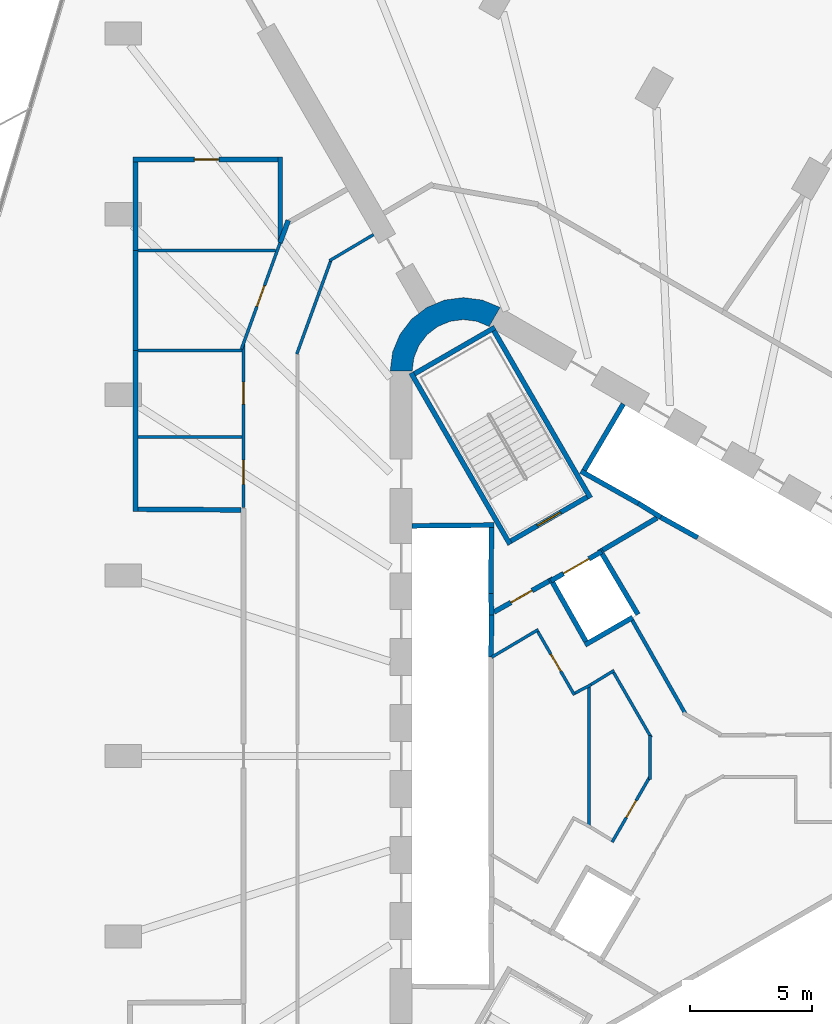
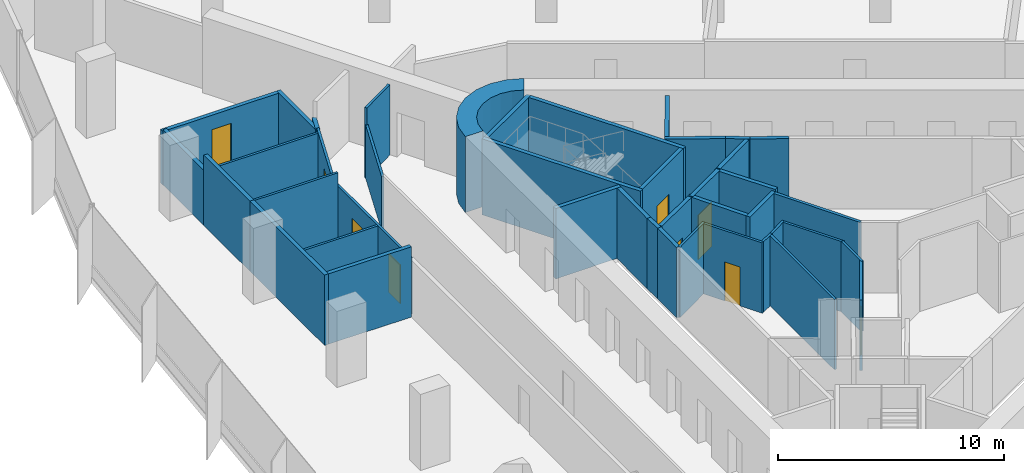
# One storey, part 11 of 15: 42 walls, 9 doors, 9 openings.
"""IFC4 building model written with IfcOpenShell, lengths in metres."""

from ifc_helpers import new_model, si_unit, direction, frame, frame_2d, origin, place, context, subcontext, project, spatial, polyline, rectangle, outline, extrude, material, layer, layer_set, type_object, element, fill, save


model = new_model("IFC4")

# Units and contexts
model_context = context("Model", 3, precision=1e-05, world=origin(), true_north=direction((0.0, 1.0)))
body_context = subcontext(model_context, "Body", "Model", "MODEL_VIEW")
ifc_project = project(units=[si_unit("LENGTHUNIT", "METRE"), si_unit("AREAUNIT", "SQUARE_METRE"), si_unit("VOLUMEUNIT", "CUBIC_METRE"), si_unit("PLANEANGLEUNIT", "RADIAN"), si_unit("MASSUNIT", "GRAM", prefix="KILO")], contexts=[model_context])

# Site, building, storey
site_placement = place(None, origin())
site = spatial("IfcSite", under=ifc_project, at=site_placement, CompositionType="ELEMENT")
building_placement = place(site_placement, origin())
building = spatial("IfcBuilding", under=site, at=building_placement, Name="Tanit Gate Tower", CompositionType="ELEMENT")
storey_placement = place(building_placement, frame((0.0, 0.0, 94.699951171875)))
storey = spatial("IfcBuildingStorey", under=building, at=storey_placement, Name="L19", CompositionType="ELEMENT", Elevation=94.699951171875)

# Walls
ifc_material_1 = material(Name="Concrete C60/75", Category="concrete")
ifc_layer_1 = layer(ifc_material_1, 0.89990234375)
ifc_layer_set_1 = layer_set([ifc_layer_1], Name="CORE WALL 900 C60/75")
wall_type_1 = type_object("IfcWallType", Name="CORE WALL 900 C60/75", PredefinedType="SHEAR", material=ifc_layer_set_1)
wall_1_placement = place(storey_placement, origin())
element("IfcWall", 1, at=wall_1_placement, inside=storey, type_object=wall_type_1, Name="CORE WALL CORNER", PredefinedType="SHEAR", context=body_context, shape_type="SweptSolid", body=[
    extrude(outline(polyline([(-7.60009765625, 18.359619140625), (-8.323486328125, 18.659423828125), (-9.10009765625, 18.76171875), (-9.87646484375, 18.659423828125), (-10.60009765625, 18.359619140625), (-11.22119140625, 17.883056640625), (-11.697998046875, 17.26171875), (-11.997802734375, 16.5380859375), (-12.10009765625, 15.76171875), (-11.199951171875, 15.76171875), (-11.12841796875, 16.30517578125), (-10.918701171875, 16.811767578125), (-10.5849609375, 17.24658203125), (-10.14990234375, 17.580322265625), (-9.6435546875, 17.7900390625), (-9.10009765625, 17.86181640625), (-8.556396484375, 17.7900390625), (-8.050048828125, 17.580322265625), (-7.60009765625, 18.359619140625)])), origin(), (0.0, 0.0, 1.0), 4.10009765625),
])
ifc_material_2 = material(Name="Fire-rated gypsum board partition")
ifc_layer_2 = layer(ifc_material_2, 0.199951171875)
ifc_layer_set_2 = layer_set([ifc_layer_2], Name="INT-WALL-COMPARTMENT")
wall_type_2 = type_object("IfcWallType", Name="INT-WALL-COMPARTMENT", PredefinedType="PARTITIONING", material=ifc_layer_set_2)
wall_2_placement = place(storey_placement, frame((-1.1796875, 9.744384765625, 0.0), z_axis=(0.0, 0.0, 1.0), x_axis=(-0.860615607571, -0.509255118781, 0.0)))
element("IfcWall", 2, at=wall_2_placement, inside=storey, type_object=wall_type_2, Name="Wall Compartment W061", PredefinedType="PARTITIONING", context=body_context, shape_type="SweptSolid", body=[
    extrude(rectangle(XDim=2.58056640625, YDim=0.199951171875, at=frame_2d((1.290283203125, 0.0))), origin(), (0.0, 0.0, 1.0), 3.800048828125),
])

# Wall, opening, door
wall_3_placement = place(storey_placement, frame((-5.600341796875, 7.16015625, 0.0), z_axis=(0.0, 0.0, 1.0), x_axis=(-0.871363259478, -0.490638431059, 0.0)))
wall_3 = element("IfcWall", 3, at=wall_3_placement, inside=storey, type_object=wall_type_2, Name="Wall Compartment W062", PredefinedType="PARTITIONING", context=body_context, shape_type="SweptSolid", body=[
    extrude(rectangle(XDim=2.5810546875, YDim=0.199951171875, at=frame_2d((1.29052734375, 0.0))), origin(), (0.0, 0.0, 1.0), 3.800048828125),
])
opening_1_placement = place(wall_3_placement, frame((0.79052734375, 0.0, 0.0)))
opening_1 = element("IfcOpeningElement", 4, at=opening_1_placement, cuts=wall_3, Name="Opening F10-S04-05", PredefinedType="OPENING", context=body_context, shape_type="SweptSolid", body=[
    extrude(rectangle(XDim=1.0, YDim=2.10009765625, at=frame_2d((0.5, 1.050048828125))), frame((0.0, 0.10986328125, 0.0), z_axis=(0.0, -1.0, 0.0), x_axis=(1.0, 0.0, 0.0)), (0.0, 0.0, 1.0), 0.219970703125),
])
ifc_material_3 = material(Name="Fire-rated steel door leaf", Category="steel")
door_type_1 = type_object("IfcDoorType", Name="INT-DOOR-FIRE-1000", OperationType="NOTDEFINED", PredefinedType="USERDEFINED", material=ifc_material_3)
door_1_placement = place(opening_1_placement, origin())
door_1 = element("IfcDoor", 5, at=door_1_placement, inside=storey, type_object=door_type_1, Name="Door F10-S04-05", ObjectType="FIRE DOOR", OperationType="SINGLE_SWING_RIGHT", OverallHeight=2.10009765625, OverallWidth=1.0, PredefinedType="USERDEFINED", context=body_context, shape_type="SweptSolid", body=[
    extrude(rectangle(XDim=1.0, YDim=2.10009765625, at=frame_2d((0.5, 1.050048828125))), frame((0.0, 0.02490234375, 0.0), z_axis=(0.0, -1.0, 0.0), x_axis=(1.0, 0.0, 0.0)), (0.0, 0.0, 1.0), 0.050048828125),
])
fill(opening_1, door_1)

# Walls
wall_4_placement = place(storey_placement, frame((-16.271484375, 21.922607421875, 0.0), z_axis=(0.0, 0.0, 1.0), x_axis=(-0.342165073447, -0.939639857878, 0.0)))
element("IfcWall", 6, at=wall_4_placement, inside=storey, type_object=wall_type_2, Name="Wall Compartment W094", PredefinedType="PARTITIONING", context=body_context, shape_type="SweptSolid", body=[
    extrude(rectangle(XDim=0.975341796875, YDim=0.199951171875, at=frame_2d((0.48779296875, 0.0))), origin(), (0.0, 0.0, 1.0), 2.880126953125),
])
wall_5_placement = place(storey_placement, frame((-22.52001953125, 10.0, 0.0), z_axis=(0.0, 0.0, 1.0), x_axis=(0.0, 1.0, 0.0)))
element("IfcWall", 7, at=wall_5_placement, inside=storey, type_object=wall_type_2, Name="Wall Compartment W120", PredefinedType="PARTITIONING", context=body_context, shape_type="SweptSolid", body=[
    extrude(rectangle(XDim=6.596923828125, YDim=0.199951171875, at=frame_2d((3.29833984375, 0.0))), origin(), (0.0, 0.0, 1.0), 3.800048828125),
])
wall_6_placement = place(storey_placement, frame((-22.52001953125, 16.596923828125, 0.0), z_axis=(0.0, 0.0, 1.0), x_axis=(0.0, 1.0, 0.0)))
element("IfcWall", 8, at=wall_6_placement, inside=storey, type_object=wall_type_2, Name="Wall Compartment W123", PredefinedType="PARTITIONING", context=body_context, shape_type="SweptSolid", body=[
    extrude(rectangle(XDim=4.095458984375, YDim=0.199951171875, at=frame_2d((2.0478515625, 0.0))), origin(), (0.0, 0.0, 1.0), 3.800048828125),
])
wall_7_placement = place(storey_placement, frame((-22.52001953125, 20.6923828125, 0.0), z_axis=(0.0, 0.0, 1.0), x_axis=(0.0, 1.0, 0.0)))
element("IfcWall", 9, at=wall_7_placement, inside=storey, type_object=wall_type_2, Name="Wall Compartment W126", PredefinedType="PARTITIONING", context=body_context, shape_type="SweptSolid", body=[
    extrude(rectangle(XDim=3.61767578125, YDim=0.199951171875, at=frame_2d((1.808837890625, 0.0))), origin(), (0.0, 0.0, 1.0), 2.97998046875),
])
wall_8_placement = place(storey_placement, frame((-18.199951171875, 10.07080078125, 0.0), z_axis=(0.0, 0.0, 1.0), x_axis=(-0.999977091955, 0.006768719685, 0.0)))
element("IfcWall", 10, at=wall_8_placement, inside=storey, type_object=wall_type_2, Name="Wall Compartment W121", PredefinedType="PARTITIONING", context=body_context, shape_type="SweptSolid", body=[
    extrude(rectangle(XDim=4.219970703125, YDim=0.199951171875, at=frame_2d((2.10986328125, 0.0))), origin(), (0.0, 0.0, 1.0), 3.800048828125),
])
wall_9_placement = place(storey_placement, frame((-16.60009765625, 21.03564453125, 0.0), z_axis=(0.0, 0.0, 1.0), x_axis=(0.0, 1.0, 0.0)))
element("IfcWall", 11, at=wall_9_placement, inside=storey, type_object=wall_type_2, Name="Wall Compartment W124", PredefinedType="PARTITIONING", context=body_context, shape_type="SweptSolid", body=[
    extrude(rectangle(XDim=3.474365234375, YDim=0.199951171875, at=frame_2d((1.7373046875, 0.0))), origin(), (0.0, 0.0, 1.0), 2.880126953125),
])

# Wall, opening, door
wall_10_placement = place(storey_placement, frame((-16.699951171875, 24.409912109375, 0.0), z_axis=(0.0, 0.0, 1.0), x_axis=(-1.0, 0.0, 0.0)))
wall_10 = element("IfcWall", 12, at=wall_10_placement, inside=storey, type_object=wall_type_2, Name="Wall Compartment W125", PredefinedType="PARTITIONING", context=body_context, shape_type="SweptSolid", body=[
    extrude(rectangle(XDim=5.920166015625, YDim=0.199951171875, at=frame_2d((2.9599609375, 0.0))), origin(), (0.0, 0.0, 1.0), 2.880126953125),
])
opening_2_placement = place(wall_10_placement, frame((2.409912109375, 0.0, 0.0)))
opening_2 = element("IfcOpeningElement", 13, at=opening_2_placement, cuts=wall_10, Name="Opening F10-S04-19", PredefinedType="OPENING", context=body_context, shape_type="SweptSolid", body=[
    extrude(rectangle(XDim=1.0, YDim=2.10009765625, at=frame_2d((0.5, 1.050048828125))), frame((0.0, 0.10986328125, 0.0), z_axis=(0.0, -1.0, 0.0), x_axis=(1.0, 0.0, 0.0)), (0.0, 0.0, 1.0), 0.219970703125),
])
door_2_placement = place(opening_2_placement, origin())
door_2 = element("IfcDoor", 14, at=door_2_placement, inside=storey, type_object=door_type_1, Name="Door F10-S04-19", ObjectType="FIRE DOOR", OperationType="SINGLE_SWING_LEFT", OverallHeight=2.10009765625, OverallWidth=1.0, PredefinedType="USERDEFINED", context=body_context, shape_type="SweptSolid", body=[
    extrude(rectangle(XDim=1.0, YDim=2.10009765625, at=frame_2d((0.5, 1.050048828125))), frame((0.0, 0.02490234375, 0.0), z_axis=(0.0, -1.0, 0.0), x_axis=(1.0, 0.0, 0.0)), (0.0, 0.0, 1.0), 0.050048828125),
])
fill(opening_2, door_2)

# Walls
ifc_material_4 = material(Name="Gypsum board partition")
ifc_layer_3 = layer(ifc_material_4, 0.1201171875)
ifc_layer_set_3 = layer_set([ifc_layer_3], Name="INT-WALL-PARTITION")
wall_type_3 = type_object("IfcWallType", Name="INT-WALL-PARTITION", PredefinedType="PARTITIONING", material=ifc_layer_set_3)
wall_11_placement = place(storey_placement, frame((-3.9638671875, -2.90771484375, 0.0), z_axis=(0.0, 0.0, 1.0), x_axis=(0.0, 1.0, 0.0)))
element("IfcWall", 15, at=wall_11_placement, inside=storey, type_object=wall_type_3, Name="Wall Partition W074", PredefinedType="PARTITIONING", context=body_context, shape_type="SweptSolid", body=[
    extrude(rectangle(XDim=5.8154296875, YDim=0.1201171875, at=frame_2d((2.90771484375, 0.0))), origin(), (0.0, 0.0, 1.0), 3.800048828125),
])
wall_12_placement = place(storey_placement, frame((-6.03662109375, 5.17578125, 0.0), z_axis=(0.0, 0.0, 1.0), x_axis=(-0.860106072674, -0.510115225953, 0.0)))
element("IfcWall", 16, at=wall_12_placement, inside=storey, type_object=wall_type_3, Name="Wall Partition W078", PredefinedType="PARTITIONING", context=body_context, shape_type="SweptSolid", body=[
    extrude(rectangle(XDim=2.224609375, YDim=0.1201171875, at=frame_2d((1.1123046875, 0.0))), origin(), (0.0, 0.0, 1.0), 3.800048828125),
])

# Wall, opening, door
wall_13_placement = place(storey_placement, frame((-4.558349609375, 2.4951171875, 0.0), z_axis=(0.0, 0.0, 1.0), x_axis=(-0.499990139034, 0.866031096941, 0.0)))
wall_13 = element("IfcWall", 17, at=wall_13_placement, inside=storey, type_object=wall_type_3, Name="Wall Partition W079", PredefinedType="PARTITIONING", context=body_context, shape_type="SweptSolid", body=[
    extrude(rectangle(XDim=3.0, YDim=0.1201171875, at=frame_2d((1.5, 0.0))), origin(), (0.0, 0.0, 1.0), 3.800048828125),
])
opening_3_placement = place(wall_13_placement, frame((1.1298828125, 0.0, 0.0)))
opening_3 = element("IfcOpeningElement", 18, at=opening_3_placement, cuts=wall_13, Name="Opening R08-S04-12", PredefinedType="OPENING", context=body_context, shape_type="SweptSolid", body=[
    extrude(rectangle(XDim=0.800048828125, YDim=2.10009765625, at=frame_2d((0.39990234375, 1.050048828125))), frame((0.0, 0.070068359375, 0.0), z_axis=(0.0, -1.0, 0.0), x_axis=(1.0, 0.0, 0.0)), (0.0, 0.0, 1.0), 0.14013671875),
])
ifc_material_5 = material(Name="Timber door leaf", Category="wood")
door_type_2 = type_object("IfcDoorType", Name="INT-DOOR-RISER-800", OperationType="NOTDEFINED", PredefinedType="USERDEFINED", material=ifc_material_5)
door_3_placement = place(opening_3_placement, origin())
door_3 = element("IfcDoor", 19, at=door_3_placement, inside=storey, type_object=door_type_2, Name="Door R08-S04-12", ObjectType="FIRE DOOR", OperationType="SINGLE_SWING_LEFT", OverallHeight=2.10009765625, OverallWidth=0.800048828125, PredefinedType="USERDEFINED", context=body_context, shape_type="SweptSolid", body=[
    extrude(rectangle(XDim=0.800048828125, YDim=2.10009765625, at=frame_2d((0.39990234375, 1.050048828125))), frame((0.0, 0.02490234375, 0.0), z_axis=(0.0, -1.0, 0.0), x_axis=(1.0, 0.0, 0.0)), (0.0, 0.0, 1.0), 0.050048828125),
])
fill(opening_3, door_3)

# Walls
wall_14_placement = place(storey_placement, frame((-3.880615234375, 2.918701171875, 0.0), z_axis=(0.0, 0.0, 1.0), x_axis=(-0.885333337811, -0.464956859246, 0.0)))
element("IfcWall", 20, at=wall_14_placement, inside=storey, type_object=wall_type_3, Name="Wall Partition W080", PredefinedType="PARTITIONING", context=body_context, shape_type="SweptSolid", body=[
    extrude(rectangle(XDim=0.7392578125, YDim=0.1201171875, at=frame_2d((0.36962890625, 0.0))), origin(), (0.0, 0.0, 1.0), 3.800048828125),
])
wall_15_placement = place(storey_placement, frame((-2.93505859375, 3.50341796875, 0.0), z_axis=(0.0, 0.0, 1.0), x_axis=(-0.852471794044, -0.522773220774, 0.0)))
element("IfcWall", 21, at=wall_15_placement, inside=storey, type_object=wall_type_3, Name="Wall Partition W081", PredefinedType="PARTITIONING", context=body_context, shape_type="SweptSolid", body=[
    extrude(rectangle(XDim=1.111572265625, YDim=0.1201171875, at=frame_2d((0.5556640625, 0.0))), origin(), (0.0, 0.0, 1.0), 3.800048828125),
])
wall_16_placement = place(storey_placement, frame((-1.420166015625, 0.760009765625, 0.0), z_axis=(0.0, 0.0, 1.0), x_axis=(-0.500011413361, 0.866018814177, 0.0)))
element("IfcWall", 22, at=wall_16_placement, inside=storey, type_object=wall_type_3, Name="Wall Partition W082", PredefinedType="PARTITIONING", context=body_context, shape_type="SweptSolid", body=[
    extrude(rectangle(XDim=3.07177734375, YDim=0.1201171875, at=frame_2d((1.535888671875, 0.0))), origin(), (0.0, 0.0, 1.0), 3.800048828125),
])
wall_17_placement = place(storey_placement, frame((-1.47216796875, -0.953857421875, 0.0), z_axis=(0.0, 0.0, 1.0), x_axis=(0.0, 1.0, 0.0)))
element("IfcWall", 23, at=wall_17_placement, inside=storey, type_object=wall_type_3, Name="Wall Partition W083", PredefinedType="PARTITIONING", context=body_context, shape_type="SweptSolid", body=[
    extrude(rectangle(XDim=1.785400390625, YDim=0.1201171875, at=frame_2d((0.892578125, 0.0))), origin(), (0.0, 0.0, 1.0), 3.800048828125),
])

# Wall, opening, door
wall_18_placement = place(storey_placement, frame((-3.01611328125, -3.524169921875, 0.0), z_axis=(0.0, 0.0, 1.0), x_axis=(0.499988681553, 0.866031938394, 0.0)))
wall_18 = element("IfcWall", 24, at=wall_18_placement, inside=storey, type_object=wall_type_3, Name="Wall Partition W084", PredefinedType="PARTITIONING", context=body_context, shape_type="SweptSolid", body=[
    extrude(rectangle(XDim=3.0693359375, YDim=0.1201171875, at=frame_2d((1.53466796875, 0.0))), origin(), (0.0, 0.0, 1.0), 3.800048828125),
])
opening_4_placement = place(wall_18_placement, frame((1.16455078125, 0.0, 0.0)))
opening_4 = element("IfcOpeningElement", 25, at=opening_4_placement, cuts=wall_18, Name="Opening R08-S04-13", PredefinedType="OPENING", context=body_context, shape_type="SweptSolid", body=[
    extrude(rectangle(XDim=0.800048828125, YDim=2.10009765625, at=frame_2d((0.39990234375, 1.050048828125))), frame((0.0, 0.070068359375, 0.0), z_axis=(0.0, -1.0, 0.0), x_axis=(1.0, 0.0, 0.0)), (0.0, 0.0, 1.0), 0.14013671875),
])
door_4_placement = place(opening_4_placement, origin())
door_4 = element("IfcDoor", 26, at=door_4_placement, inside=storey, type_object=door_type_2, Name="Door R08-S04-13", ObjectType="FIRE DOOR", OperationType="SINGLE_SWING_LEFT", OverallHeight=2.10009765625, OverallWidth=0.800048828125, PredefinedType="USERDEFINED", context=body_context, shape_type="SweptSolid", body=[
    extrude(rectangle(XDim=0.800048828125, YDim=2.10009765625, at=frame_2d((0.39990234375, 1.050048828125))), frame((0.0, 0.02490234375, 0.0), z_axis=(0.0, -1.0, 0.0), x_axis=(1.0, 0.0, 0.0)), (0.0, 0.0, 1.0), 0.050048828125),
])
fill(opening_4, door_4)

# Walls
wall_19_placement = place(storey_placement, frame((-12.781982421875, 21.339111328125, 0.0), z_axis=(0.0, 0.0, 1.0), x_axis=(-0.859769901207, -0.510681619973, 0.0)))
element("IfcWall", 27, at=wall_19_placement, inside=storey, type_object=wall_type_3, Name="Wall Partition W086", PredefinedType="PARTITIONING", context=body_context, shape_type="SweptSolid", body=[
    extrude(rectangle(XDim=2.092529296875, YDim=0.1201171875, at=frame_2d((1.04638671875, 0.0))), origin(), (0.0, 0.0, 1.0), 3.800048828125),
])
wall_20_placement = place(storey_placement, frame((-14.527587890625, 20.281982421875, 0.0), z_axis=(0.0, 0.0, 1.0), x_axis=(-0.341969257767, -0.939711140054, 0.0)))
element("IfcWall", 28, at=wall_20_placement, inside=storey, type_object=wall_type_3, Name="Wall Partition W087", PredefinedType="PARTITIONING", context=body_context, shape_type="SweptSolid", body=[
    extrude(rectangle(XDim=4.072998046875, YDim=0.1201171875, at=frame_2d((2.03662109375, 0.0))), origin(), (0.0, 0.0, 1.0), 2.880126953125),
])

# Wall, openings, doors
wall_21_placement = place(storey_placement, frame((-18.10009765625, 16.89892578125, 0.0), z_axis=(0.0, 0.0, 1.0), x_axis=(0.0, -1.0, 0.0)))
wall_21 = element("IfcWall", 29, at=wall_21_placement, inside=storey, type_object=wall_type_3, Name="Wall Partition W097", PredefinedType="PARTITIONING", context=body_context, shape_type="SweptSolid", body=[
    extrude(rectangle(XDim=6.72900390625, YDim=0.1201171875, at=frame_2d((3.364501953125, 0.0))), origin(), (0.0, 0.0, 1.0), 3.080078125),
])
opening_5_placement = place(wall_21_placement, frame((4.785888671875, 0.0, 0.0)))
opening_5 = element("IfcOpeningElement", 30, at=opening_5_placement, cuts=wall_21, Name="Opening D10-S04-16", PredefinedType="OPENING", context=body_context, shape_type="SweptSolid", body=[
    extrude(rectangle(XDim=1.0, YDim=2.10009765625, at=frame_2d((0.5, 1.050048828125))), frame((0.0, 0.070068359375, 0.0), z_axis=(0.0, -1.0, 0.0), x_axis=(1.0, 0.0, 0.0)), (0.0, 0.0, 1.0), 0.14013671875),
])
opening_6_placement = place(wall_21_placement, frame((1.592529296875, 0.0, 0.0)))
opening_6 = element("IfcOpeningElement", 31, at=opening_6_placement, cuts=wall_21, Name="Opening D09-S04-17", PredefinedType="OPENING", context=body_context, shape_type="SweptSolid", body=[
    extrude(rectangle(XDim=0.89990234375, YDim=2.10009765625, at=frame_2d((0.449951171875, 1.050048828125))), frame((0.0, 0.070068359375, 0.0), z_axis=(0.0, -1.0, 0.0), x_axis=(1.0, 0.0, 0.0)), (0.0, 0.0, 1.0), 0.14013671875),
])
ifc_material_6 = material(Name="Timber door leaf", Category="wood")
door_type_3 = type_object("IfcDoorType", Name="INT-DOOR-SINGLE-1000", OperationType="NOTDEFINED", PredefinedType="NOTDEFINED", material=ifc_material_6)
door_5_placement = place(opening_5_placement, origin())
door_5 = element("IfcDoor", 32, at=door_5_placement, inside=storey, type_object=door_type_3, Name="Door D10-S04-16", OperationType="SINGLE_SWING_LEFT", OverallHeight=2.10009765625, OverallWidth=1.0, PredefinedType="NOTDEFINED", context=body_context, shape_type="SweptSolid", body=[
    extrude(rectangle(XDim=1.0, YDim=2.10009765625, at=frame_2d((0.5, 1.050048828125))), frame((0.0, 0.02490234375, 0.0), z_axis=(0.0, -1.0, 0.0), x_axis=(1.0, 0.0, 0.0)), (0.0, 0.0, 1.0), 0.050048828125),
])
fill(opening_5, door_5)
ifc_material_7 = material(Name="Timber door leaf", Category="wood")
door_type_4 = type_object("IfcDoorType", Name="INT-DOOR-SINGLE-900", OperationType="NOTDEFINED", PredefinedType="NOTDEFINED", material=ifc_material_7)
door_6_placement = place(opening_6_placement, origin())
door_6 = element("IfcDoor", 33, at=door_6_placement, inside=storey, type_object=door_type_4, Name="Door D09-S04-17", OperationType="SINGLE_SWING_RIGHT", OverallHeight=2.10009765625, OverallWidth=0.89990234375, PredefinedType="NOTDEFINED", context=body_context, shape_type="SweptSolid", body=[
    extrude(rectangle(XDim=0.89990234375, YDim=2.10009765625, at=frame_2d((0.449951171875, 1.050048828125))), frame((0.0, 0.02490234375, 0.0), z_axis=(0.0, -1.0, 0.0), x_axis=(1.0, 0.0, 0.0)), (0.0, 0.0, 1.0), 0.050048828125),
])
fill(opening_6, door_6)

# Wall, opening, door
wall_22_placement = place(storey_placement, frame((-16.605224609375, 21.006103515625, 0.0), z_axis=(0.0, 0.0, 1.0), x_axis=(-0.342014101174, -0.939694819927, 0.0)))
wall_22 = element("IfcWall", 34, at=wall_22_placement, inside=storey, type_object=wall_type_3, Name="Wall Partition W098", PredefinedType="PARTITIONING", context=body_context, shape_type="SweptSolid", body=[
    extrude(rectangle(XDim=4.62841796875, YDim=0.1201171875, at=frame_2d((2.314208984375, 0.0))), origin(), (0.0, 0.0, 1.0), 2.97998046875),
])
opening_7_placement = place(wall_22_placement, frame((1.87109375, 0.0, 0.0)))
opening_7 = element("IfcOpeningElement", 35, at=opening_7_placement, cuts=wall_22, Name="Opening D09-S04-18", PredefinedType="OPENING", context=body_context, shape_type="SweptSolid", body=[
    extrude(rectangle(XDim=0.89990234375, YDim=2.10009765625, at=frame_2d((0.449951171875, 1.050048828125))), frame((0.0, 0.070068359375, 0.0), z_axis=(0.0, -1.0, 0.0), x_axis=(1.0, 0.0, 0.0)), (0.0, 0.0, 1.0), 0.14013671875),
])
door_7_placement = place(opening_7_placement, origin())
door_7 = element("IfcDoor", 36, at=door_7_placement, inside=storey, type_object=door_type_4, Name="Door D09-S04-18", OperationType="SINGLE_SWING_LEFT", OverallHeight=2.10009765625, OverallWidth=0.89990234375, PredefinedType="NOTDEFINED", context=body_context, shape_type="SweptSolid", body=[
    extrude(rectangle(XDim=0.89990234375, YDim=2.10009765625, at=frame_2d((0.449951171875, 1.050048828125))), frame((0.0, 0.02490234375, 0.0), z_axis=(0.0, -1.0, 0.0), x_axis=(1.0, 0.0, 0.0)), (0.0, 0.0, 1.0), 0.050048828125),
])
fill(opening_7, door_7)

# Walls
wall_23_placement = place(storey_placement, frame((-22.419921875, 13.055908203125, 0.0), z_axis=(0.0, 0.0, 1.0), x_axis=(1.0, 0.0, 0.0)))
element("IfcWall", 37, at=wall_23_placement, inside=storey, type_object=wall_type_3, Name="Wall Partition W141", PredefinedType="PARTITIONING", context=body_context, shape_type="SweptSolid", body=[
    extrude(rectangle(XDim=4.260009765625, YDim=0.1201171875, at=frame_2d((2.1298828125, 0.0))), origin(), (0.0, 0.0, 1.0), 3.080078125),
])
wall_24_placement = place(storey_placement, frame((-22.419921875, 16.596923828125, 0.0), z_axis=(0.0, 0.0, 1.0), x_axis=(1.0, 0.0, 0.0)))
element("IfcWall", 38, at=wall_24_placement, inside=storey, type_object=wall_type_3, Name="Wall Partition W142", PredefinedType="PARTITIONING", context=body_context, shape_type="SweptSolid", body=[
    extrude(rectangle(XDim=4.260009765625, YDim=0.1201171875, at=frame_2d((2.1298828125, 0.0))), origin(), (0.0, 0.0, 1.0), 3.800048828125),
])
wall_25_placement = place(storey_placement, frame((-22.419921875, 20.6923828125, 0.0), z_axis=(0.0, 0.0, 1.0), x_axis=(1.0, 0.0, 0.0)))
element("IfcWall", 39, at=wall_25_placement, inside=storey, type_object=wall_type_3, Name="Wall Partition W143", PredefinedType="PARTITIONING", context=body_context, shape_type="SweptSolid", body=[
    extrude(rectangle(XDim=5.63671875, YDim=0.1201171875, at=frame_2d((2.818359375, 0.0))), origin(), (0.0, 0.0, 1.0), 2.97998046875),
])
ifc_material_8 = material(Name="Fire-rated gypsum board partition")
ifc_layer_4 = layer(ifc_material_8, 0.14990234375)
ifc_layer_set_4 = layer_set([ifc_layer_4], Name="INT-WALL-RISER")
wall_type_4 = type_object("IfcWallType", Name="INT-WALL-RISER", PredefinedType="PLUMBINGWALL", material=ifc_layer_set_4)
wall_26_placement = place(storey_placement, frame((-2.18896484375, 5.549072265625, 0.0), z_axis=(0.0, 0.0, 1.0), x_axis=(0.494335077001, -0.869271437266, 0.0)))
element("IfcWall", 40, at=wall_26_placement, inside=storey, type_object=wall_type_4, Name="Wall Riser W067", PredefinedType="PLUMBINGWALL", context=body_context, shape_type="SweptSolid", body=[
    extrude(rectangle(XDim=4.404296875, YDim=0.14990234375, at=frame_2d((2.2021484375, 0.0))), origin(), (0.0, 0.0, 1.0), 3.800048828125),
])
ifc_material_9 = material(Name="Gypsum shaft wall system")
ifc_layer_5 = layer(ifc_material_9, 0.199951171875)
ifc_layer_set_5 = layer_set([ifc_layer_5], Name="INT-WALL-SHAFT")
wall_type_5 = type_object("IfcWallType", Name="INT-WALL-SHAFT", PredefinedType="PLUMBINGWALL", material=ifc_layer_set_5)
wall_27_placement = place(storey_placement, frame((-11.199951171875, 9.419921875, 0.0), z_axis=(0.0, 0.0, 1.0), x_axis=(0.999957167047, 0.009255488683, 0.0)))
element("IfcWall", 41, at=wall_27_placement, inside=storey, type_object=wall_type_5, Name="Wall Shaft W001", PredefinedType="PLUMBINGWALL", context=body_context, shape_type="SweptSolid", body=[
    extrude(rectangle(XDim=3.35009765625, YDim=0.199951171875, at=frame_2d((1.675048828125, 0.0))), origin(), (0.0, 0.0, 1.0), 3.800048828125),
])
wall_28_placement = place(storey_placement, frame((-7.951171875, 9.35009765625, 0.0), z_axis=(0.0, 0.0, 1.0), x_axis=(-0.011120469654, -0.999938165666, 0.0)))
element("IfcWall", 42, at=wall_28_placement, inside=storey, type_object=wall_type_5, Name="Wall Shaft W002", PredefinedType="PLUMBINGWALL", context=body_context, shape_type="SweptSolid", body=[
    extrude(rectangle(XDim=2.700439453125, YDim=0.199951171875, at=frame_2d((1.35009765625, 0.0))), origin(), (0.0, 0.0, 1.0), 3.800048828125),
])
wall_29_placement = place(storey_placement, frame((-7.97705078125, 6.650146484375, 0.0), z_axis=(0.0, 0.0, 1.0), x_axis=(0.030861509705, -0.999523670164, 0.0)))
element("IfcWall", 43, at=wall_29_placement, inside=storey, type_object=wall_type_5, Name="Wall Shaft W004", PredefinedType="PLUMBINGWALL", context=body_context, shape_type="SweptSolid", body=[
    extrude(rectangle(XDim=0.878173828125, YDim=0.199951171875, at=frame_2d((0.43896484375, 0.0))), origin(), (0.0, 0.0, 1.0), 3.800048828125),
])
wall_30_placement = place(storey_placement, frame((-7.94921875, 5.894775390625, 0.0), z_axis=(0.0, 0.0, 1.0), x_axis=(-0.012042535896, -0.999927486035, 0.0)))
element("IfcWall", 44, at=wall_30_placement, inside=storey, type_object=wall_type_5, Name="Wall Shaft W005", PredefinedType="PLUMBINGWALL", context=body_context, shape_type="SweptSolid", body=[
    extrude(rectangle(XDim=1.844970703125, YDim=0.199951171875, at=frame_2d((0.92236328125, 0.0))), origin(), (0.0, 0.0, 1.0), 3.800048828125),
])
wall_31_placement = place(storey_placement, frame((-1.940673828125, 10.338623046875, 0.0), z_axis=(0.0, 0.0, 1.0), x_axis=(0.850216889117, -0.526432561171, 0.0)))
element("IfcWall", 45, at=wall_31_placement, inside=storey, type_object=wall_type_5, Name="Wall Shaft W019", PredefinedType="PLUMBINGWALL", context=body_context, shape_type="SweptSolid", body=[
    extrude(rectangle(XDim=1.078369140625, YDim=0.199951171875, at=frame_2d((0.5390625, 0.0))), origin(), (0.0, 0.0, 1.0), 3.800048828125),
])
wall_32_placement = place(storey_placement, frame((0.482666015625, 8.935791015625, 0.0), z_axis=(0.0, 0.0, 1.0), x_axis=(-0.874269620932, 0.485440655401, 0.0)))
element("IfcWall", 46, at=wall_32_placement, inside=storey, type_object=wall_type_5, Name="Wall Shaft W020", PredefinedType="PLUMBINGWALL", context=body_context, shape_type="SweptSolid", body=[
    extrude(rectangle(XDim=1.8447265625, YDim=0.199951171875, at=frame_2d((0.92236328125, 0.0))), origin(), (0.0, 0.0, 1.0), 3.800048828125),
])
wall_33_placement = place(storey_placement, frame((-4.296142578125, 11.658935546875, 0.0), z_axis=(0.0, 0.0, 1.0), x_axis=(0.871534483978, -0.490334215854, 0.0)))
element("IfcWall", 47, at=wall_33_placement, inside=storey, type_object=wall_type_5, Name="Wall Shaft W021", PredefinedType="PLUMBINGWALL", context=body_context, shape_type="SweptSolid", body=[
    extrude(rectangle(XDim=2.7001953125, YDim=0.199951171875, at=frame_2d((1.35009765625, 0.0))), origin(), (0.0, 0.0, 1.0), 3.800048828125),
])
wall_34_placement = place(storey_placement, frame((-4.158203125, 11.696044921875, 0.0), z_axis=(0.0, 0.0, 1.0), x_axis=(0.508018930956, 0.861345903683, 0.0)))
element("IfcWall", 48, at=wall_34_placement, inside=storey, type_object=wall_type_5, Name="Wall Shaft W022", PredefinedType="PLUMBINGWALL", context=body_context, shape_type="SweptSolid", body=[
    extrude(rectangle(XDim=3.150146484375, YDim=0.199951171875, at=frame_2d((1.5751953125, 0.0))), origin(), (0.0, 0.0, 1.0), 3.800048828125),
])

# Wall, opening, door
wall_35_placement = place(storey_placement, frame((-5.524169921875, 7.168212890625, 0.0), z_axis=(0.0, 0.0, 1.0), x_axis=(0.866024647952, 0.500001309137, 0.0)))
wall_35 = element("IfcWall", 49, at=wall_35_placement, inside=storey, type_object=wall_type_5, Name="Wall Shaft W045", PredefinedType="PLUMBINGWALL", context=body_context, shape_type="SweptSolid", body=[
    extrude(rectangle(XDim=2.39990234375, YDim=0.199951171875, at=frame_2d((1.199951171875, 0.0))), origin(), (0.0, 0.0, 1.0), 3.800048828125),
])
opening_8_placement = place(wall_35_placement, frame((0.60009765625, 0.0, 0.0)))
opening_8 = element("IfcOpeningElement", 50, at=opening_8_placement, cuts=wall_35, Name="Opening LDFL2-L19", PredefinedType="OPENING", context=body_context, shape_type="SweptSolid", body=[
    extrude(rectangle(XDim=1.199951171875, YDim=2.39990234375, at=frame_2d((0.60009765625, 1.199951171875))), frame((0.0, 0.10986328125, 0.0), z_axis=(0.0, -1.0, 0.0), x_axis=(1.0, 0.0, 0.0)), (0.0, 0.0, 1.0), 0.219970703125),
])
ifc_material_10 = material(Name="Stainless steel sliding door leaf", Category="steel")
door_type_5 = type_object("IfcDoorType", Name="INT-DOOR-LANDING-1200", OperationType="NOTDEFINED", PredefinedType="USERDEFINED", material=ifc_material_10)
door_8_placement = place(opening_8_placement, origin())
door_8 = element("IfcDoor", 51, at=door_8_placement, inside=storey, type_object=door_type_5, Name="Door LDFL2-L19", ObjectType="LANDING DOOR", OperationType="SLIDING_TO_LEFT", OverallHeight=2.39990234375, OverallWidth=1.199951171875, PredefinedType="USERDEFINED", context=body_context, shape_type="SweptSolid", body=[
    extrude(rectangle(XDim=1.199951171875, YDim=2.39990234375, at=frame_2d((0.60009765625, 1.199951171875))), frame((0.0, 0.02490234375, 0.0), z_axis=(0.0, -1.0, 0.0), x_axis=(1.0, 0.0, 0.0)), (0.0, 0.0, 1.0), 0.050048828125),
])
fill(opening_8, door_8)

# Walls
wall_36_placement = place(storey_placement, frame((-3.53759765625, 8.46533203125, 0.0), z_axis=(0.0, 0.0, 1.0), x_axis=(0.508647062354, -0.860975125052, 0.0)))
element("IfcWall", 52, at=wall_36_placement, inside=storey, type_object=wall_type_5, Name="Wall Shaft W046", PredefinedType="PLUMBINGWALL", context=body_context, shape_type="SweptSolid", body=[
    extrude(rectangle(XDim=3.10009765625, YDim=0.199951171875, at=frame_2d((1.550048828125, 0.0))), origin(), (0.0, 0.0, 1.0), 3.800048828125),
])
wall_37_placement = place(storey_placement, frame((-2.17333984375, 5.67333984375, 0.0), z_axis=(0.0, 0.0, 1.0), x_axis=(-0.866028691075, -0.499994306202, 0.0)))
element("IfcWall", 53, at=wall_37_placement, inside=storey, type_object=wall_type_5, Name="Wall Shaft W047", PredefinedType="PLUMBINGWALL", context=body_context, shape_type="SweptSolid", body=[
    extrude(rectangle(XDim=2.25439453125, YDim=0.199951171875, at=frame_2d((1.127197265625, 0.0))), origin(), (0.0, 0.0, 1.0), 3.800048828125),
])
wall_38_placement = place(storey_placement, frame((-5.5625, 7.29638671875, 0.0), z_axis=(0.0, 0.0, 1.0), x_axis=(0.49134651263, -0.870964180966, 0.0)))
element("IfcWall", 54, at=wall_38_placement, inside=storey, type_object=wall_type_5, Name="Wall Shaft W048", PredefinedType="PLUMBINGWALL", context=body_context, shape_type="SweptSolid", body=[
    extrude(rectangle(XDim=3.000244140625, YDim=0.199951171875, at=frame_2d((1.5, 0.0))), origin(), (0.0, 0.0, 1.0), 3.800048828125),
])
ifc_material_11 = material(Name="Concrete C40/50", Category="concrete")
ifc_layer_6 = layer(ifc_material_11, 0.199951171875)
ifc_layer_set_6 = layer_set([ifc_layer_6], Name="INT-WALL-STAIR")
wall_type_6 = type_object("IfcWallType", Name="INT-WALL-STAIR", PredefinedType="SHEAR", material=ifc_layer_set_6)
wall_39_placement = place(storey_placement, frame((-11.245361328125, 15.677734375, -0.300048828125), z_axis=(0.0, 0.0, 1.0), x_axis=(0.499977274689, -0.866038523851, 0.0)))
element("IfcWall", 55, at=wall_39_placement, inside=storey, type_object=wall_type_6, Name="Wall Stair W041", PredefinedType="SHEAR", context=body_context, shape_type="SweptSolid", body=[
    extrude(rectangle(XDim=8.10009765625, YDim=0.199951171875, at=frame_2d((4.050048828125, 0.0))), origin(), (0.0, 0.0, 1.0), 4.10009765625),
])
wall_40_placement = place(storey_placement, frame((-7.81787109375, 17.541015625, -0.300048828125), z_axis=(0.0, 0.0, 1.0), x_axis=(-0.866044365799, -0.499967155389, 0.0)))
element("IfcWall", 56, at=wall_40_placement, inside=storey, type_object=wall_type_6, Name="Wall Stair W042", PredefinedType="SHEAR", context=body_context, shape_type="SweptSolid", body=[
    extrude(rectangle(XDim=3.800048828125, YDim=0.199951171875, at=frame_2d((1.89990234375, 0.0))), origin(), (0.0, 0.0, 1.0), 4.10009765625),
])
wall_41_placement = place(storey_placement, frame((-7.8544921875, 17.404541015625, -0.300048828125), z_axis=(0.0, 0.0, 1.0), x_axis=(0.499997992926, -0.866026562566, 0.0)))
element("IfcWall", 57, at=wall_41_placement, inside=storey, type_object=wall_type_6, Name="Wall Stair W043", PredefinedType="SHEAR", context=body_context, shape_type="SweptSolid", body=[
    extrude(rectangle(XDim=7.89990234375, YDim=0.199951171875, at=frame_2d((3.949951171875, 0.0))), origin(), (0.0, 0.0, 1.0), 4.10009765625),
])

# Wall, opening, door
wall_42_placement = place(storey_placement, frame((-7.158935546875, 8.799560546875, -0.300048828125), z_axis=(0.0, 0.0, 1.0), x_axis=(0.866047807691, 0.499961193289, 0.0)))
wall_42 = element("IfcWall", 58, at=wall_42_placement, inside=storey, type_object=wall_type_6, Name="Wall Stair W044", PredefinedType="SHEAR", context=body_context, shape_type="SweptSolid", body=[
    extrude(rectangle(XDim=3.599853515625, YDim=0.199951171875, at=frame_2d((1.7998046875, 0.0))), origin(), (0.0, 0.0, 1.0), 4.10009765625),
])
opening_9_placement = place(wall_42_placement, frame((1.25, 0.0, 0.300048828125)))
opening_9 = element("IfcOpeningElement", 59, at=opening_9_placement, cuts=wall_42, Name="Opening S11-S04-04", PredefinedType="OPENING", context=body_context, shape_type="SweptSolid", body=[
    extrude(rectangle(XDim=1.10009765625, YDim=2.10009765625, at=frame_2d((0.550048828125, 1.050048828125))), frame((0.0, 0.10986328125, 0.0), z_axis=(0.0, -1.0, 0.0), x_axis=(1.0, 0.0, 0.0)), (0.0, 0.0, 1.0), 0.219970703125),
])
ifc_material_12 = material(Name="Timber door leaf", Category="wood")
door_type_6 = type_object("IfcDoorType", Name="INT-DOOR-STAIR-1100", OperationType="NOTDEFINED", PredefinedType="USERDEFINED", material=ifc_material_12)
door_9_placement = place(opening_9_placement, origin())
door_9 = element("IfcDoor", 60, at=door_9_placement, inside=storey, type_object=door_type_6, Name="Door S11-S04-04", ObjectType="FIRE DOOR", OperationType="SINGLE_SWING_RIGHT", OverallHeight=2.10009765625, OverallWidth=1.10009765625, PredefinedType="USERDEFINED", context=body_context, shape_type="SweptSolid", body=[
    extrude(rectangle(XDim=1.10009765625, YDim=2.10009765625, at=frame_2d((0.550048828125, 1.050048828125))), frame((0.0, 0.02490234375, 0.0), z_axis=(0.0, -1.0, 0.0), x_axis=(1.0, 0.0, 0.0)), (0.0, 0.0, 1.0), 0.050048828125),
])
fill(opening_9, door_9)

save(model, "model.ifc")
